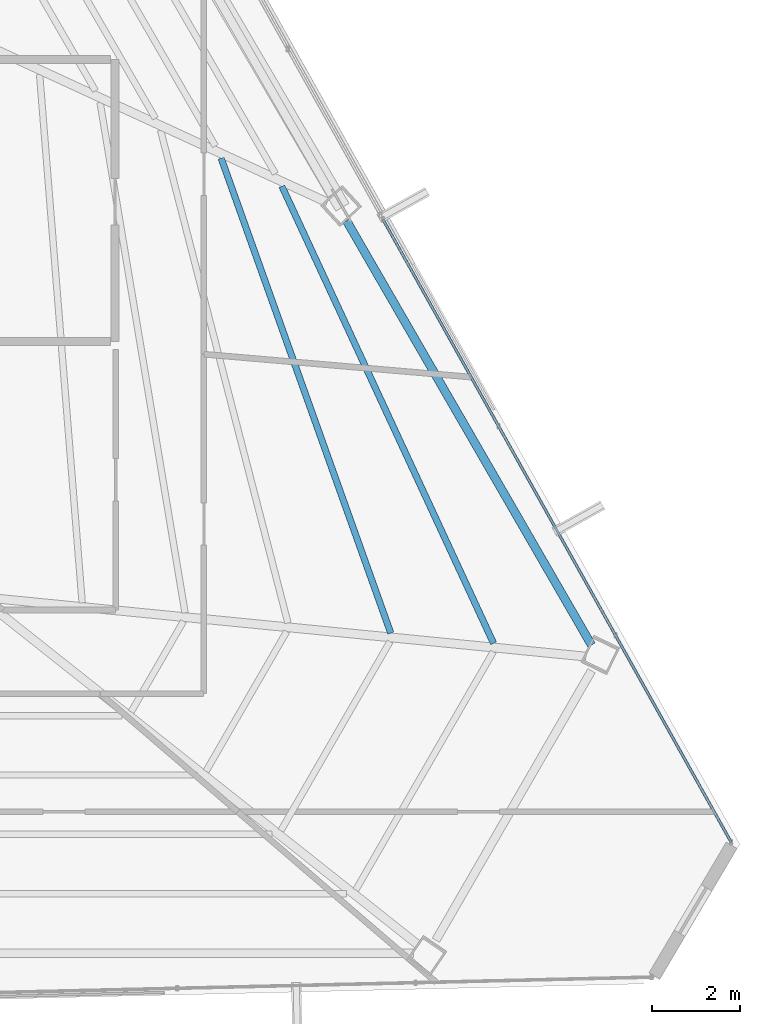
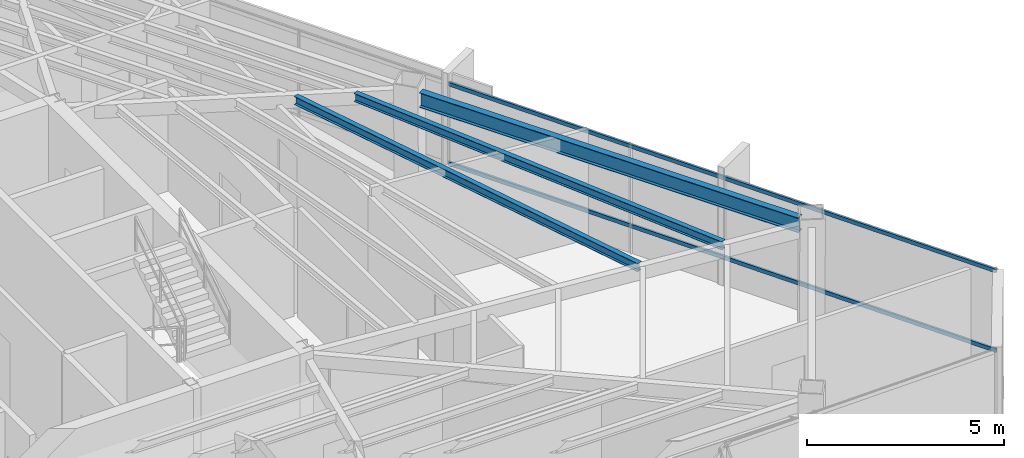
# One storey, part 24 of 46: 3 beams, 2 members, 1 element without a shape of its own.
"""IFC4 building model written with IfcOpenShell, lengths in metres."""

import ifcopenshell
import ifcopenshell.guid

model = None  # the IFC model being written
_history = None  # IfcOwnerHistory: only IFC2X3 demands one
_inside = {}  # id of a spatial element -> (the spatial element, [elements in it])
_under = {}  # id of a project, library or spatial element -> (it, [spatial elements below it])
_declared = {}  # id of a project -> (the project, [libraries it declares])
_typed = {}  # id of a type object -> (the type object, [elements of that type])
_made_of = {}  # id of a material, layer set ... -> (it, [elements and type objects made of it])


def new_model(schema):
    """Start an empty IFC model of exactly this schema.

    Asked for "IFC4X3", IfcOpenShell would pick the latest addendum, in which some entities
    have other attributes; the version numbers below select the first issue.
    IFC2X3 requires an IfcOwnerHistory on every rooted entity: one is made here for all.
    """
    global model, _history
    if schema == "IFC4X3":
        model = ifcopenshell.file(schema_version=(4, 3, 0, 0))
    else:
        model = ifcopenshell.file(schema=schema)
    _inside.clear()
    _under.clear()
    _declared.clear()
    _typed.clear()
    _made_of.clear()
    _history = None
    if model.schema == "IFC2X3":
        org = make("IfcOrganization", Name="unknown")
        user = make(
            "IfcPersonAndOrganization",
            ThePerson=make("IfcPerson", FamilyName="unknown"),
            TheOrganization=org,
        )
        app = make(
            "IfcApplication",
            ApplicationDeveloper=org,
            Version="unknown",
            ApplicationFullName="unknown",
            ApplicationIdentifier="unknown",
        )
        _history = make(
            "IfcOwnerHistory",
            OwningUser=user,
            OwningApplication=app,
            ChangeAction="ADDED",
            CreationDate=0,
        )
    return model


def make(cls, **values):
    """One entity of the class cls with the attributes given. An attribute that is None is left unset."""
    return model.create_entity(
        cls, **{name: value for name, value in values.items() if value is not None}
    )


def rooted(cls, **values):
    """An entity with a GlobalId (a new one), such as an element, a storey or a relation."""
    return make(cls, GlobalId=ifcopenshell.guid.new(), OwnerHistory=_history, **values)


def si_unit(unit_type, name, prefix=None):
    """IfcSIUnit, for example si_unit("LENGTHUNIT", "METRE", prefix="MILLI")."""
    return make("IfcSIUnit", UnitType=unit_type, Prefix=prefix, Name=name)


def assignment(units):
    """IfcUnitAssignment: the units of a project."""
    return None if units is None else make("IfcUnitAssignment", Units=units)


def point(xyz):
    """IfcCartesianPoint."""
    return None if xyz is None else make("IfcCartesianPoint", Coordinates=xyz)


def direction(xyz):
    """IfcDirection."""
    return None if xyz is None else make("IfcDirection", DirectionRatios=xyz)


def frame(location, z_axis=None, x_axis=None):
    """IfcAxis2Placement3D, a coordinate frame: its origin and axes. An axis left out is left unset."""
    return make(
        "IfcAxis2Placement3D",
        Location=point(location),
        Axis=direction(z_axis),
        RefDirection=direction(x_axis),
    )


def frame_2d(location, x_axis=None):
    """IfcAxis2Placement2D, a coordinate frame in the plane: its origin and x axis."""
    return make(
        "IfcAxis2Placement2D", Location=point(location), RefDirection=direction(x_axis)
    )


def origin():
    """The frame at (0, 0, 0) with its axes left unset."""
    return frame((0.0, 0.0, 0.0))


def origin_2d():
    """The frame at (0, 0) in the plane with its x axis left unset."""
    return frame_2d((0.0, 0.0))


def place(relative_to, where):
    """IfcLocalPlacement: puts the frame where relative to a parent placement (None: the world)."""
    return make(
        "IfcLocalPlacement", PlacementRelTo=relative_to, RelativePlacement=where
    )


def context(
    kind, dimensions, precision=None, world=None, true_north=None, identifier=None
):
    """IfcGeometricRepresentationContext, for example the 3D "Model" context."""
    return make(
        "IfcGeometricRepresentationContext",
        ContextIdentifier=identifier,
        ContextType=kind,
        CoordinateSpaceDimension=dimensions,
        Precision=precision,
        WorldCoordinateSystem=world,
        TrueNorth=true_north,
    )


def subcontext(parent, identifier, kind, view, scale=None):
    """IfcGeometricRepresentationSubContext, for example "Body" below "Model"."""
    return make(
        "IfcGeometricRepresentationSubContext",
        ContextIdentifier=identifier,
        ContextType=kind,
        ParentContext=parent,
        TargetScale=scale,
        TargetView=view,
    )


def project(units=None, contexts=None):
    """IfcProject with its units and contexts."""
    return rooted(
        "IfcProject",
        Name="project",
        RepresentationContexts=contexts,
        UnitsInContext=assignment(units),
    )


def spatial(cls, under=None, at=None, **own):
    """A site, building, storey or space (cls), placed at a placement, below another one or the project."""
    s = rooted(cls, ObjectPlacement=at, **own)
    if under is not None:
        _under.setdefault(under.id(), (under, []))[1].append(s)
    return s


def profile(cls, at=None, kind="AREA", **sizes):
    """A parametric profile (cls). Its sizes go by their IFC names, for example OverallWidth=200.0."""
    return make(cls, ProfileType=kind, Position=at, **sizes)


def hollow_rectangle(**sizes):
    """IfcRectangleHollowProfileDef."""
    return profile("IfcRectangleHollowProfileDef", **sizes)


def i_section(**sizes):
    """IfcIShapeProfileDef."""
    return profile("IfcIShapeProfileDef", **sizes)


def extrude(swept, where, along, depth):
    """IfcExtrudedAreaSolid: the profile swept, set in the frame where, extruded along a direction by depth."""
    return make(
        "IfcExtrudedAreaSolid",
        SweptArea=swept,
        Position=where,
        ExtrudedDirection=direction(along),
        Depth=depth,
    )


def shape(context_of_items, identifier, shape_type, items):
    """IfcShapeRepresentation: the items that make up one representation, for example the "Body"."""
    return make(
        "IfcShapeRepresentation",
        ContextOfItems=context_of_items,
        RepresentationIdentifier=identifier,
        RepresentationType=shape_type,
        Items=items,
    )


def source(mapping_origin, context_of_items, identifier, shape_type, items):
    """IfcRepresentationMap: a shape defined once, which mapped items show again and again."""
    return make(
        "IfcRepresentationMap",
        MappingOrigin=mapping_origin,
        MappedRepresentation=shape(context_of_items, identifier, shape_type, items),
    )


def transform(
    local_origin,
    x_axis=None,
    y_axis=None,
    z_axis=None,
    scale=None,
    scale2=None,
    scale3=None,
    uniform=True,
):
    """IfcCartesianTransformationOperator3D, or its non-uniform kind. x_axis, y_axis, z_axis: its Axis1, 2, 3."""
    if uniform:
        return make(
            "IfcCartesianTransformationOperator3D",
            Axis1=direction(x_axis),
            Axis2=direction(y_axis),
            LocalOrigin=point(local_origin),
            Scale=scale,
            Axis3=direction(z_axis),
        )
    return make(
        "IfcCartesianTransformationOperator3DnonUniform",
        Axis1=direction(x_axis),
        Axis2=direction(y_axis),
        LocalOrigin=point(local_origin),
        Scale=scale,
        Axis3=direction(z_axis),
        Scale2=scale2,
        Scale3=scale3,
    )


def mapped(mapping_source, mapping_target):
    """IfcMappedItem: shows the shape of a source again, moved by a transform."""
    return make(
        "IfcMappedItem", MappingSource=mapping_source, MappingTarget=mapping_target
    )


def material(Name=None, Category=None):
    """IfcMaterial."""
    return make("IfcMaterial", Name=Name, Category=Category)


def material_profile(
    of_material, cross_section, Name=None, Category=None, Priority=None
):
    """IfcMaterialProfile: a cross section and its material."""
    return make(
        "IfcMaterialProfile",
        Name=Name,
        Material=of_material,
        Profile=cross_section,
        Priority=Priority,
        Category=Category,
    )


def profile_set(profiles, Name=None, composite=None):
    """IfcMaterialProfileSet."""
    return make(
        "IfcMaterialProfileSet",
        Name=Name,
        MaterialProfiles=profiles,
        CompositeProfile=composite,
    )


def made_of(thing, what):
    """Note that an element or type object is made of a material, layer set ...; save() writes the relation."""
    if what is not None:
        _made_of.setdefault(what.id(), (what, []))[1].append(thing)
    return thing


def type_object(cls, material=None, **own):
    """A type object (cls), such as IfcWallType, which elements share."""
    return made_of(rooted(cls, **own), material)


def type_shapes(of_type, sources):
    """Give a type object the sources (RepresentationMaps) that its elements show as mapped items."""
    of_type.RepresentationMaps = sources


def element(
    cls,
    number,
    at=None,
    inside=None,
    cuts=None,
    type_object=None,
    material=None,
    context=None,
    identifier="Body",
    shape_type=None,
    held_by="IfcProductDefinitionShape",
    body=None,
    shapes=None,
    **own,
):
    """One element of the class cls, such as IfcWall. Its Tag is "e" and its number.

    at: its placement. inside: the storey or other place that contains it. cuts: it is an
    opening in that element (IfcRelVoidsElement). A single representation is given by context,
    identifier, shape_type and body (its items); several are given by shapes. held_by: the class
    of the entity that holds the representations. save() writes the other relations.
    """
    e = rooted(cls, Tag="e%d" % number, ObjectPlacement=at, **own)
    if body is not None:
        shapes = [shape(context, identifier, shape_type, body)]
    if shapes is not None:
        e.Representation = make(held_by, Representations=shapes)
    if inside is not None:
        _inside.setdefault(inside.id(), (inside, []))[1].append(e)
    if cuts is not None:
        rooted(
            "IfcRelVoidsElement", RelatingBuildingElement=cuts, RelatedOpeningElement=e
        )
    if type_object is not None:
        _typed.setdefault(type_object.id(), (type_object, []))[1].append(e)
    return made_of(e, material)


def aggregate(whole, parts):
    """IfcRelAggregates: a whole, such as a stair, and the parts it consists of."""
    return rooted("IfcRelAggregates", RelatingObject=whole, RelatedObjects=parts)


def save(model, path):
    """Write the relations noted so far, then the file.

    IfcRelAggregates (storeys below a building ...), IfcRelContainedInSpatialStructure (elements
    in a storey), IfcRelDefinesByType, IfcRelAssociatesMaterial and IfcRelDeclares: one each for
    every whole, place, type object, material and project.
    """
    for whole, parts in _under.values():
        aggregate(whole, parts)
    for where, things in _inside.values():
        rooted(
            "IfcRelContainedInSpatialStructure",
            RelatedElements=things,
            RelatingStructure=where,
        )
    for kind, things in _typed.values():
        rooted("IfcRelDefinesByType", RelatedObjects=things, RelatingType=kind)
    for what, things in _made_of.values():
        rooted("IfcRelAssociatesMaterial", RelatedObjects=things, RelatingMaterial=what)
    for by, libraries in _declared.values():
        rooted("IfcRelDeclares", RelatingContext=by, RelatedDefinitions=libraries)
    model.write(path)


model = new_model("IFC4")

# Units and contexts
model_context = context("Model", 3, precision=1e-05, world=origin(), true_north=direction((0.0, 1.0)))
body_context = subcontext(model_context, "Body", "Model", "MODEL_VIEW")
ifc_project = project(units=[si_unit("LENGTHUNIT", "METRE"), si_unit("AREAUNIT", "SQUARE_METRE"), si_unit("VOLUMEUNIT", "CUBIC_METRE"), si_unit("PLANEANGLEUNIT", "RADIAN"), si_unit("MASSUNIT", "GRAM", prefix="KILO")], contexts=[model_context])

# Site, building, storey
site_placement = place(None, origin())
site = spatial("IfcSite", under=ifc_project, at=site_placement, CompositionType="ELEMENT")
building_placement = place(site_placement, origin())
building = spatial("IfcBuilding", under=site, at=building_placement, Name="Caelisora Broadcast Tower", CompositionType="ELEMENT")
storey_placement = place(building_placement, frame((0.0, 0.0, 251.75)))
storey = spatial("IfcBuildingStorey", under=building, at=storey_placement, Name="L66", CompositionType="ELEMENT", Elevation=251.75)

# Beams
ifc_material_1 = material(Name="Steel Grade 350 (AS/NZS 3679.1)", Category="steel")
ifc_material_profile_1 = material_profile(ifc_material_1, i_section(OverallWidth=0.19091796875, OverallDepth=0.46044921875, WebThickness=0.010009765625, FlangeThickness=0.01611328125, at=origin_2d()), Name="Steel Grade 350 (AS/NZS 3679.1)")
ifc_profile_set_1 = profile_set([ifc_material_profile_1], Name="Steel Grade 350 (AS/NZS 3679.1)")
beam_type_1 = type_object("IfcBeamType", Name="PG06", PredefinedType="BEAM", material=ifc_profile_set_1)
shared_shape_1 = source(origin(), body_context, "Body", "SweptSolid", [
    extrude(i_section(OverallWidth=0.19091796875, OverallDepth=0.46044921875, WebThickness=0.010009765625, FlangeThickness=0.01611328125, at=origin_2d()), origin(), (0.0, 0.0, 1.0), 11.12451171875),
])
type_shapes(beam_type_1, [shared_shape_1])
beam_1_placement = place(storey_placement, frame((59.4013671875, 16.3076171875, 3.169921875), z_axis=(-0.500002979663, 0.866023683469, 0.0), x_axis=(-0.866023683469, -0.500002979663, 0.0)))
element("IfcBeam", 1, at=beam_1_placement, inside=storey, type_object=beam_type_1, Name="L66 beam PG06", PredefinedType="BEAM", context=body_context, shape_type="MappedRepresentation", body=[
    mapped(shared_shape_1, transform((0.0, 0.0, 0.0), scale=1.0)),
])
ifc_material_profile_2 = material_profile(ifc_material_1, i_section(OverallWidth=0.14599609375, OverallDepth=0.256103515625, WebThickness=0.00634765625, FlangeThickness=0.010986328125, at=origin_2d()), Name="Steel Grade 350 (AS/NZS 3679.1)")
ifc_profile_set_2 = profile_set([ifc_material_profile_2], Name="Steel Grade 350 (AS/NZS 3679.1)")
beam_type_2 = type_object("IfcBeamType", Name="SB04", PredefinedType="JOIST", material=ifc_profile_set_2)
shared_shape_2 = source(origin(), body_context, "Body", "SweptSolid", [
    extrude(i_section(OverallWidth=0.14599609375, OverallDepth=0.256103515625, WebThickness=0.00634765625, FlangeThickness=0.010986328125, at=origin_2d()), origin(), (0.0, 0.0, 1.0), 11.44970703125),
])
beam_2_placement = place(storey_placement, frame((54.843994140625, 16.577880859375, 3.27197265625), z_axis=(-0.336344501547, 0.941739017074, 0.0), x_axis=(-0.941739017074, -0.336344501547, 0.0)))
element("IfcBeam", 2, at=beam_2_placement, inside=storey, type_object=beam_type_2, Name="L66 beam SB04", PredefinedType="JOIST", context=body_context, shape_type="MappedRepresentation", body=[
    mapped(shared_shape_2, transform((0.0, 0.0, 0.0), scale=1.0)),
])
shared_shape_3 = source(origin(), body_context, "Body", "SweptSolid", [
    extrude(i_section(OverallWidth=0.14599609375, OverallDepth=0.256103515625, WebThickness=0.00634765625, FlangeThickness=0.010986328125, at=origin_2d()), origin(), (0.0, 0.0, 1.0), 11.43505859375),
])
type_shapes(beam_type_2, [shared_shape_2, shared_shape_3])
beam_3_placement = place(storey_placement, frame((57.177734375, 16.348388671875, 3.27197265625), z_axis=(-0.420257380654, 0.907404944887, 0.0), x_axis=(-0.907404944887, -0.420257380654, 0.0)))
element("IfcBeam", 3, at=beam_3_placement, inside=storey, type_object=beam_type_2, Name="L66 beam SB04", PredefinedType="JOIST", context=body_context, shape_type="MappedRepresentation", body=[
    mapped(shared_shape_3, transform((0.0, 0.0, 0.0), scale=1.0)),
])

# Curtain wall, members
ifc_material_2 = material(Name="Unitised Aluminium and Low-E Glass Curtain Wall", Category="glass")
curtain_wall_type = type_object("IfcCurtainWallType", Name="CW-Z5", PredefinedType="NOTDEFINED", material=ifc_material_2)
curtain_wall_placement = place(storey_placement, origin())
curtain_wall = element("IfcCurtainWall", 4, at=curtain_wall_placement, inside=storey, type_object=curtain_wall_type, Name="L66 curtain wall CW-Z5", PredefinedType="NOTDEFINED")
ifc_material_3 = material(Name="Aluminium 6063-T6 Anodised Terracotta Bronze", Category="aluminium")
ifc_material_profile_3 = material_profile(ifc_material_3, hollow_rectangle(XDim=0.06005859375, YDim=0.1201171875, WallThickness=0.0029296875, at=origin_2d()), Name="Aluminium 6063-T6 Anodised Terracotta Bronze")
ifc_profile_set_3 = profile_set([ifc_material_profile_3], Name="Aluminium 6063-T6 Anodised Terracotta Bronze")
member_type = type_object("IfcMemberType", Name="CWT-03", PredefinedType="USERDEFINED", material=ifc_profile_set_3)
shared_shape_4 = source(origin(), body_context, "Body", "SweptSolid", [
    extrude(hollow_rectangle(XDim=0.06005859375, YDim=0.1201171875, WallThickness=0.0029296875, at=origin_2d()), origin(), (0.0, 0.0, 1.0), 16.205322265625),
])
type_shapes(member_type, [shared_shape_4])
member_1_placement = place(storey_placement, frame((54.66552734375, 25.974365234375, 0.85009765625), z_axis=(0.487987139064, -0.872850818931, 0.0), x_axis=(0.872850818931, 0.487987139064, 0.0)))
member_1 = element("IfcMember", 5, at=member_1_placement, type_object=member_type, Name="L66-CW-B03 transom #1", ObjectType="TRANSOM", PredefinedType="USERDEFINED", context=body_context, shape_type="MappedRepresentation", body=[
    mapped(shared_shape_4, transform((0.0, 0.0, 0.0), scale=1.0)),
])
member_2_placement = place(storey_placement, frame((54.66552734375, 25.974365234375, 3.320068359375), z_axis=(0.487987139064, -0.872850818931, 0.0), x_axis=(0.872850818931, 0.487987139064, 0.0)))
member_2 = element("IfcMember", 6, at=member_2_placement, type_object=member_type, Name="L66-CW-B03 transom #2", ObjectType="TRANSOM", PredefinedType="USERDEFINED", context=body_context, shape_type="MappedRepresentation", body=[
    mapped(shared_shape_4, transform((0.0, 0.0, 0.0), scale=1.0)),
])
aggregate(curtain_wall, [member_1, member_2])

save(model, "model.ifc")
